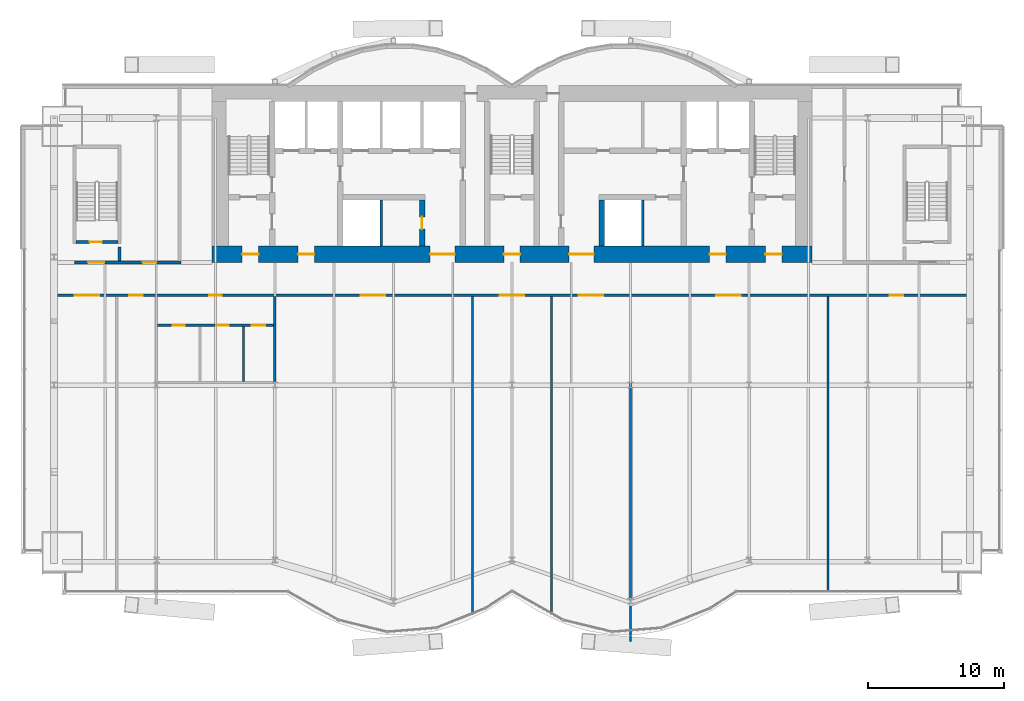
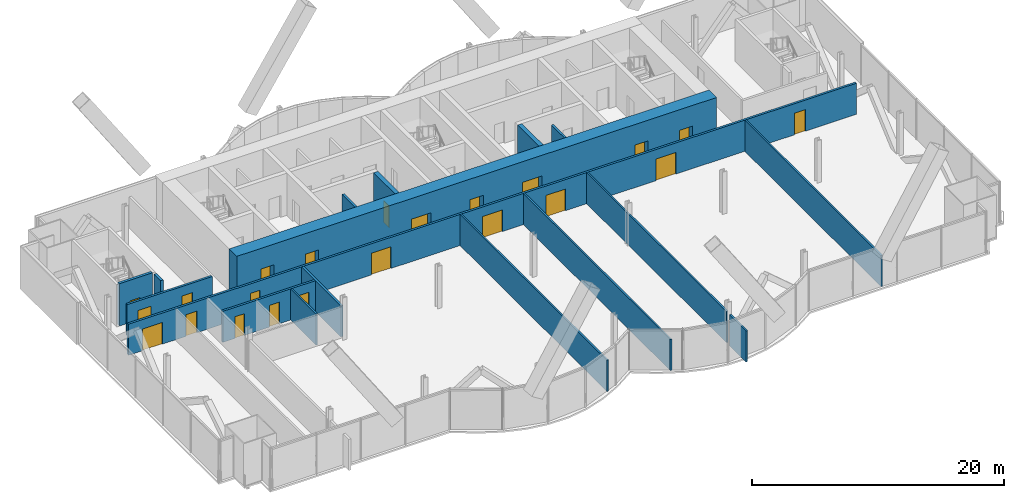
# One storey, part 15 of 21: 22 doors, 17 walls, 22 openings.
"""IFC4 building model written with IfcOpenShell, lengths in metres."""

from ifc_helpers import new_model, si_unit, direction, frame, frame_2d, origin, place, context, subcontext, project, spatial, rectangle, extrude, material, layer, layer_set, type_object, element, fill, save


model = new_model("IFC4")

# Units and contexts
model_context = context("Model", 3, precision=1e-05, world=origin(), true_north=direction((0.0, 1.0)))
body_context = subcontext(model_context, "Body", "Model", "MODEL_VIEW")
ifc_project = project(units=[si_unit("LENGTHUNIT", "METRE"), si_unit("AREAUNIT", "SQUARE_METRE"), si_unit("VOLUMEUNIT", "CUBIC_METRE"), si_unit("PLANEANGLEUNIT", "RADIAN"), si_unit("MASSUNIT", "GRAM", prefix="KILO")], contexts=[model_context])

# Site, building, storey
site_placement = place(None, origin())
site = spatial("IfcSite", under=ifc_project, at=site_placement, CompositionType="ELEMENT")
building_placement = place(site_placement, origin())
building = spatial("IfcBuilding", under=site, at=building_placement, Name="Bicima Exchange Tower", CompositionType="ELEMENT")
storey_placement = place(building_placement, frame((0.0, 0.0, 118.60009765625)))
storey = spatial("IfcBuildingStorey", under=building, at=storey_placement, Name="L25", CompositionType="ELEMENT", Elevation=118.60009765625)

# Walls
ifc_material_1 = material(Name="Gypsum board partition")
ifc_layer_1 = layer(ifc_material_1, 0.199951171875)
ifc_layer_set_1 = layer_set([ifc_layer_1], Name="Gypsum board partition")
wall_type_1 = type_object("IfcWallType", Name="Fire-rated gypsum partition 200 EI120", PredefinedType="PARTITIONING", material=ifc_layer_set_1)
for number, where, z_axis, x_axis, name in (
    (1, (-9.60009765625, -11.800048828125, 0.0), (0.0, 0.0, 1.0), (0.0, 1.0, 0.0), "partition wall 11"),
    (2, (9.60009765625, -11.800048828125, 0.0), (0.0, 0.0, 1.0), (0.0, 1.0, 0.0), "partition wall 20"),
):
    element("IfcWall", number, at=place(storey_placement, frame(where, z_axis=z_axis, x_axis=x_axis)), inside=storey, type_object=wall_type_1, Name=name, PredefinedType="PARTITIONING", context=body_context, shape_type="SweptSolid", body=[
        extrude(rectangle(XDim=3.400146484375, YDim=0.199951171875, at=frame_2d((1.7001953125, 0.0))), origin(), (0.0, 0.0, 1.0), 3.01806640625),
    ])

# Wall, openings, doors
ifc_layer_2 = layer(ifc_material_1, 0.199951171875)
ifc_layer_set_2 = layer_set([ifc_layer_2], Name="Gypsum board partition")
wall_type_2 = type_object("IfcWallType", Name="Fire-rated gypsum partition 200 EI60", PredefinedType="PARTITIONING", material=ifc_layer_set_2)
wall_1_placement = place(storey_placement, frame((-26.0, -17.60009765625, 0.0), z_axis=(0.0, 0.0, 1.0), x_axis=(1.0, 0.0, 0.0)))
wall_1 = element("IfcWall", 3, at=wall_1_placement, inside=storey, type_object=wall_type_2, Name="partition wall 2", PredefinedType="PARTITIONING", context=body_context, shape_type="SweptSolid", body=[
    extrude(rectangle(XDim=8.5, YDim=0.199951171875, at=frame_2d((4.25, 0.0))), origin(), (0.0, 0.0, 1.0), 3.01806640625),
])
opening_1_placement = place(wall_1_placement, frame((1.10009765625, 0.0, 0.0)))
opening_1 = element("IfcOpeningElement", 4, at=opening_1_placement, cuts=wall_1, Name="Opening L25-010", PredefinedType="OPENING", context=body_context, shape_type="SweptSolid", body=[
    extrude(rectangle(XDim=0.89990234375, YDim=2.10009765625, at=frame_2d((0.449951171875, 1.050048828125))), frame((0.0, 0.11181640625, 0.0), z_axis=(0.0, -1.0, 0.0), x_axis=(1.0, 0.0, 0.0)), (0.0, 0.0, 1.0), 0.223876953125),
])
opening_2_placement = place(wall_1_placement, frame((4.300048828125, 0.0, 0.0)))
opening_2 = element("IfcOpeningElement", 5, at=opening_2_placement, cuts=wall_1, Name="Opening L25-011", PredefinedType="OPENING", context=body_context, shape_type="SweptSolid", body=[
    extrude(rectangle(XDim=0.89990234375, YDim=2.10009765625, at=frame_2d((0.449951171875, 1.050048828125))), frame((0.0, 0.11181640625, 0.0), z_axis=(0.0, -1.0, 0.0), x_axis=(1.0, 0.0, 0.0)), (0.0, 0.0, 1.0), 0.223876953125),
])
opening_3_placement = place(wall_1_placement, frame((6.89990234375, 0.0, 0.0)))
opening_3 = element("IfcOpeningElement", 6, at=opening_3_placement, cuts=wall_1, Name="Opening L25-012", PredefinedType="OPENING", context=body_context, shape_type="SweptSolid", body=[
    extrude(rectangle(XDim=1.0, YDim=2.10009765625, at=frame_2d((0.5, 1.050048828125))), frame((0.0, 0.11181640625, 0.0), z_axis=(0.0, -1.0, 0.0), x_axis=(1.0, 0.0, 0.0)), (0.0, 0.0, 1.0), 0.223876953125),
])
ifc_material_2 = material(Name="Steel fire door leaf", Category="steel")
door_type_1 = type_object("IfcDoorType", Name="Door 1000 swing FD30S", OperationType="SINGLE_SWING_LEFT", PredefinedType="DOOR", material=ifc_material_2)
door_1_placement = place(opening_3_placement, frame((1.0, 0.0, 0.0), z_axis=(0.0, 0.0, 1.0), x_axis=(-1.0, 0.0, 0.0)))
door_1 = element("IfcDoor", 7, at=door_1_placement, inside=storey, type_object=door_type_1, Name="Door", OperationType="SINGLE_SWING_RIGHT", OverallHeight=2.10009765625, OverallWidth=1.0, PredefinedType="DOOR", context=body_context, shape_type="SweptSolid", body=[
    extrude(rectangle(XDim=1.0, YDim=2.10009765625, at=frame_2d((0.5, 1.050048828125))), frame((0.0, 0.02490234375, 0.0), z_axis=(0.0, -1.0, 0.0), x_axis=(1.0, 0.0, 0.0)), (0.0, 0.0, 1.0), 0.050048828125),
])
fill(opening_3, door_1)
door_type_2 = type_object("IfcDoorType", Name="Door 900 swing FD30S", OperationType="SINGLE_SWING_LEFT", PredefinedType="DOOR", material=ifc_material_2)
door_2_placement = place(opening_1_placement, frame((0.89990234375, 0.0, 0.0), z_axis=(0.0, 0.0, 1.0), x_axis=(-1.0, 0.0, 0.0)))
door_2 = element("IfcDoor", 8, at=door_2_placement, inside=storey, type_object=door_type_2, Name="Door", OperationType="SINGLE_SWING_LEFT", OverallHeight=2.10009765625, OverallWidth=0.89990234375, PredefinedType="DOOR", context=body_context, shape_type="SweptSolid", body=[
    extrude(rectangle(XDim=0.89990234375, YDim=2.10009765625, at=frame_2d((0.449951171875, 1.050048828125))), frame((0.0, 0.02490234375, 0.0), z_axis=(0.0, -1.0, 0.0), x_axis=(1.0, 0.0, 0.0)), (0.0, 0.0, 1.0), 0.050048828125),
])
fill(opening_1, door_2)
door_3_placement = place(opening_2_placement, frame((0.89990234375, 0.0, 0.0), z_axis=(0.0, 0.0, 1.0), x_axis=(-1.0, 0.0, 0.0)))
door_3 = element("IfcDoor", 9, at=door_3_placement, inside=storey, type_object=door_type_2, Name="Door", OperationType="SINGLE_SWING_RIGHT", OverallHeight=2.10009765625, OverallWidth=0.89990234375, PredefinedType="DOOR", context=body_context, shape_type="SweptSolid", body=[
    extrude(rectangle(XDim=0.89990234375, YDim=2.10009765625, at=frame_2d((0.449951171875, 1.050048828125))), frame((0.0, 0.02490234375, 0.0), z_axis=(0.0, -1.0, 0.0), x_axis=(1.0, 0.0, 0.0)), (0.0, 0.0, 1.0), 0.050048828125),
])
fill(opening_2, door_3)

wall_2_placement = place(storey_placement, frame((-33.3701171875, -15.39990234375, 0.0), z_axis=(0.0, 0.0, 1.0), x_axis=(1.0, 0.0, 0.0)))
wall_2 = element("IfcWall", 10, at=wall_2_placement, inside=storey, type_object=wall_type_2, Name="partition wall 3", PredefinedType="PARTITIONING", context=body_context, shape_type="SweptSolid", body=[
    extrude(rectangle(XDim=66.740234375, YDim=0.199951171875, at=frame_2d((33.3701171875, 0.0))), origin(), (0.0, 0.0, 1.0), 3.01806640625),
])
opening_4_placement = place(wall_2_placement, frame((1.300048828125, 0.0, 0.0)))
opening_4 = element("IfcOpeningElement", 11, at=opening_4_placement, cuts=wall_2, Name="Opening L25-007", PredefinedType="OPENING", context=body_context, shape_type="SweptSolid", body=[
    extrude(rectangle(XDim=1.800048828125, YDim=2.10009765625, at=frame_2d((0.89990234375, 1.050048828125))), frame((0.0, 0.11181640625, 0.0), z_axis=(0.0, -1.0, 0.0), x_axis=(1.0, 0.0, 0.0)), (0.0, 0.0, 1.0), 0.223876953125),
])
opening_5_placement = place(wall_2_placement, frame((5.27001953125, 0.0, 0.0)))
opening_5 = element("IfcOpeningElement", 12, at=opening_5_placement, cuts=wall_2, Name="Opening L25-008", PredefinedType="OPENING", context=body_context, shape_type="SweptSolid", body=[
    extrude(rectangle(XDim=1.0, YDim=2.10009765625, at=frame_2d((0.5, 1.050048828125))), frame((0.0, 0.11181640625, 0.0), z_axis=(0.0, -1.0, 0.0), x_axis=(1.0, 0.0, 0.0)), (0.0, 0.0, 1.0), 0.223876953125),
])
opening_6_placement = place(wall_2_placement, frame((11.169921875, 0.0, 0.0)))
opening_6 = element("IfcOpeningElement", 13, at=opening_6_placement, cuts=wall_2, Name="Opening L25-009", PredefinedType="OPENING", context=body_context, shape_type="SweptSolid", body=[
    extrude(rectangle(XDim=0.89990234375, YDim=2.10009765625, at=frame_2d((0.449951171875, 1.050048828125))), frame((0.0, 0.11181640625, 0.0), z_axis=(0.0, -1.0, 0.0), x_axis=(1.0, 0.0, 0.0)), (0.0, 0.0, 1.0), 0.223876953125),
])
opening_7_placement = place(wall_2_placement, frame((22.27001953125, 0.0, 0.0)))
opening_7 = element("IfcOpeningElement", 14, at=opening_7_placement, cuts=wall_2, Name="Opening L25-013", PredefinedType="OPENING", context=body_context, shape_type="SweptSolid", body=[
    extrude(rectangle(XDim=1.800048828125, YDim=2.10009765625, at=frame_2d((0.89990234375, 1.050048828125))), frame((0.0, 0.11181640625, 0.0), z_axis=(0.0, -1.0, 0.0), x_axis=(1.0, 0.0, 0.0)), (0.0, 0.0, 1.0), 0.223876953125),
])
opening_8_placement = place(wall_2_placement, frame((32.469970703125, 0.0, 0.0)))
opening_8 = element("IfcOpeningElement", 15, at=opening_8_placement, cuts=wall_2, Name="Opening L25-014", PredefinedType="OPENING", context=body_context, shape_type="SweptSolid", body=[
    extrude(rectangle(XDim=1.800048828125, YDim=2.10009765625, at=frame_2d((0.89990234375, 1.050048828125))), frame((0.0, 0.11181640625, 0.0), z_axis=(0.0, -1.0, 0.0), x_axis=(1.0, 0.0, 0.0)), (0.0, 0.0, 1.0), 0.223876953125),
])
opening_9_placement = place(wall_2_placement, frame((38.27001953125, 0.0, 0.0)))
opening_9 = element("IfcOpeningElement", 16, at=opening_9_placement, cuts=wall_2, Name="Opening L25-015", PredefinedType="OPENING", context=body_context, shape_type="SweptSolid", body=[
    extrude(rectangle(XDim=1.800048828125, YDim=2.10009765625, at=frame_2d((0.89990234375, 1.050048828125))), frame((0.0, 0.11181640625, 0.0), z_axis=(0.0, -1.0, 0.0), x_axis=(1.0, 0.0, 0.0)), (0.0, 0.0, 1.0), 0.223876953125),
])
opening_10_placement = place(wall_2_placement, frame((48.3701171875, 0.0, 0.0)))
opening_10 = element("IfcOpeningElement", 17, at=opening_10_placement, cuts=wall_2, Name="Opening L25-016", PredefinedType="OPENING", context=body_context, shape_type="SweptSolid", body=[
    extrude(rectangle(XDim=1.800048828125, YDim=2.10009765625, at=frame_2d((0.89990234375, 1.050048828125))), frame((0.0, 0.11181640625, 0.0), z_axis=(0.0, -1.0, 0.0), x_axis=(1.0, 0.0, 0.0)), (0.0, 0.0, 1.0), 0.223876953125),
])
opening_11_placement = place(wall_2_placement, frame((61.070068359375, 0.0, 0.0)))
opening_11 = element("IfcOpeningElement", 18, at=opening_11_placement, cuts=wall_2, Name="Opening L25-017", PredefinedType="OPENING", context=body_context, shape_type="SweptSolid", body=[
    extrude(rectangle(XDim=1.0, YDim=2.10009765625, at=frame_2d((0.5, 1.050048828125))), frame((0.0, 0.11181640625, 0.0), z_axis=(0.0, -1.0, 0.0), x_axis=(1.0, 0.0, 0.0)), (0.0, 0.0, 1.0), 0.223876953125),
])
door_4_placement = place(opening_5_placement, frame((1.0, 0.0, 0.0), z_axis=(0.0, 0.0, 1.0), x_axis=(-1.0, 0.0, 0.0)))
door_4 = element("IfcDoor", 19, at=door_4_placement, inside=storey, type_object=door_type_1, Name="Door", OperationType="SINGLE_SWING_RIGHT", OverallHeight=2.10009765625, OverallWidth=1.0, PredefinedType="DOOR", context=body_context, shape_type="SweptSolid", body=[
    extrude(rectangle(XDim=1.0, YDim=2.10009765625, at=frame_2d((0.5, 1.050048828125))), frame((0.0, 0.02490234375, 0.0), z_axis=(0.0, -1.0, 0.0), x_axis=(1.0, 0.0, 0.0)), (0.0, 0.0, 1.0), 0.050048828125),
])
fill(opening_5, door_4)
door_5_placement = place(opening_11_placement, frame((1.0, 0.0, 0.0), z_axis=(0.0, 0.0, 1.0), x_axis=(-1.0, 0.0, 0.0)))
door_5 = element("IfcDoor", 20, at=door_5_placement, inside=storey, type_object=door_type_1, Name="Door", OperationType="SINGLE_SWING_RIGHT", OverallHeight=2.10009765625, OverallWidth=1.0, PredefinedType="DOOR", context=body_context, shape_type="SweptSolid", body=[
    extrude(rectangle(XDim=1.0, YDim=2.10009765625, at=frame_2d((0.5, 1.050048828125))), frame((0.0, 0.02490234375, 0.0), z_axis=(0.0, -1.0, 0.0), x_axis=(1.0, 0.0, 0.0)), (0.0, 0.0, 1.0), 0.050048828125),
])
fill(opening_11, door_5)
door_type_3 = type_object("IfcDoorType", Name="Door 1800 double swing FD30S", OperationType="DOUBLE_DOOR_SINGLE_SWING", PredefinedType="DOOR", material=ifc_material_2)
door_6_placement = place(opening_4_placement, origin())
door_6 = element("IfcDoor", 21, at=door_6_placement, inside=storey, type_object=door_type_3, Name="Door", OperationType="SINGLE_SWING_LEFT", OverallHeight=2.10009765625, OverallWidth=1.800048828125, PredefinedType="DOOR", context=body_context, shape_type="SweptSolid", body=[
    extrude(rectangle(XDim=1.800048828125, YDim=2.10009765625, at=frame_2d((0.89990234375, 1.050048828125))), frame((0.0, 0.02490234375, 0.0), z_axis=(0.0, -1.0, 0.0), x_axis=(1.0, 0.0, 0.0)), (0.0, 0.0, 1.0), 0.050048828125),
])
fill(opening_4, door_6)
door_7_placement = place(opening_7_placement, origin())
door_7 = element("IfcDoor", 22, at=door_7_placement, inside=storey, type_object=door_type_3, Name="Door", OperationType="SINGLE_SWING_LEFT", OverallHeight=2.10009765625, OverallWidth=1.800048828125, PredefinedType="DOOR", context=body_context, shape_type="SweptSolid", body=[
    extrude(rectangle(XDim=1.800048828125, YDim=2.10009765625, at=frame_2d((0.89990234375, 1.050048828125))), frame((0.0, 0.02490234375, 0.0), z_axis=(0.0, -1.0, 0.0), x_axis=(1.0, 0.0, 0.0)), (0.0, 0.0, 1.0), 0.050048828125),
])
fill(opening_7, door_7)
door_8_placement = place(opening_8_placement, origin())
door_8 = element("IfcDoor", 23, at=door_8_placement, inside=storey, type_object=door_type_3, Name="Door", OperationType="SINGLE_SWING_LEFT", OverallHeight=2.10009765625, OverallWidth=1.800048828125, PredefinedType="DOOR", context=body_context, shape_type="SweptSolid", body=[
    extrude(rectangle(XDim=1.800048828125, YDim=2.10009765625, at=frame_2d((0.89990234375, 1.050048828125))), frame((0.0, 0.02490234375, 0.0), z_axis=(0.0, -1.0, 0.0), x_axis=(1.0, 0.0, 0.0)), (0.0, 0.0, 1.0), 0.050048828125),
])
fill(opening_8, door_8)
door_9_placement = place(opening_9_placement, origin())
door_9 = element("IfcDoor", 24, at=door_9_placement, inside=storey, type_object=door_type_3, Name="Door", OperationType="SINGLE_SWING_LEFT", OverallHeight=2.10009765625, OverallWidth=1.800048828125, PredefinedType="DOOR", context=body_context, shape_type="SweptSolid", body=[
    extrude(rectangle(XDim=1.800048828125, YDim=2.10009765625, at=frame_2d((0.89990234375, 1.050048828125))), frame((0.0, 0.02490234375, 0.0), z_axis=(0.0, -1.0, 0.0), x_axis=(1.0, 0.0, 0.0)), (0.0, 0.0, 1.0), 0.050048828125),
])
fill(opening_9, door_9)
door_10_placement = place(opening_10_placement, origin())
door_10 = element("IfcDoor", 25, at=door_10_placement, inside=storey, type_object=door_type_3, Name="Door", OperationType="SINGLE_SWING_LEFT", OverallHeight=2.10009765625, OverallWidth=1.800048828125, PredefinedType="DOOR", context=body_context, shape_type="SweptSolid", body=[
    extrude(rectangle(XDim=1.800048828125, YDim=2.10009765625, at=frame_2d((0.89990234375, 1.050048828125))), frame((0.0, 0.02490234375, 0.0), z_axis=(0.0, -1.0, 0.0), x_axis=(1.0, 0.0, 0.0)), (0.0, 0.0, 1.0), 0.050048828125),
])
fill(opening_10, door_10)
door_11_placement = place(opening_6_placement, frame((0.89990234375, 0.0, 0.0), z_axis=(0.0, 0.0, 1.0), x_axis=(-1.0, 0.0, 0.0)))
door_11 = element("IfcDoor", 26, at=door_11_placement, inside=storey, type_object=door_type_2, Name="Door", OperationType="SINGLE_SWING_RIGHT", OverallHeight=2.10009765625, OverallWidth=0.89990234375, PredefinedType="DOOR", context=body_context, shape_type="SweptSolid", body=[
    extrude(rectangle(XDim=0.89990234375, YDim=2.10009765625, at=frame_2d((0.449951171875, 1.050048828125))), frame((0.0, 0.02490234375, 0.0), z_axis=(0.0, -1.0, 0.0), x_axis=(1.0, 0.0, 0.0)), (0.0, 0.0, 1.0), 0.050048828125),
])
fill(opening_6, door_11)

wall_3_placement = place(storey_placement, frame((-32.10009765625, -13.0, 0.0), z_axis=(0.0, 0.0, 1.0), x_axis=(1.0, 0.0, 0.0)))
wall_3 = element("IfcWall", 27, at=wall_3_placement, inside=storey, type_object=wall_type_2, Name="partition wall 4", PredefinedType="PARTITIONING", context=body_context, shape_type="SweptSolid", body=[
    extrude(rectangle(XDim=7.800048828125, YDim=0.199951171875, at=frame_2d((3.89990234375, 0.0))), origin(), (0.0, 0.0, 1.0), 3.01806640625),
])
opening_12_placement = place(wall_3_placement, frame((1.0, 0.0, 0.0)))
opening_12 = element("IfcOpeningElement", 28, at=opening_12_placement, cuts=wall_3, Name="Opening L25-001", PredefinedType="OPENING", context=body_context, shape_type="SweptSolid", body=[
    extrude(rectangle(XDim=1.199951171875, YDim=2.10009765625, at=frame_2d((0.60009765625, 1.050048828125))), frame((0.0, 0.11181640625, 0.0), z_axis=(0.0, -1.0, 0.0), x_axis=(1.0, 0.0, 0.0)), (0.0, 0.0, 1.0), 0.223876953125),
])
opening_13_placement = place(wall_3_placement, frame((5.0, 0.0, 0.0)))
opening_13 = element("IfcOpeningElement", 29, at=opening_13_placement, cuts=wall_3, Name="Opening L25-005", PredefinedType="OPENING", context=body_context, shape_type="SweptSolid", body=[
    extrude(rectangle(XDim=1.0, YDim=2.10009765625, at=frame_2d((0.5, 1.050048828125))), frame((0.0, 0.11181640625, 0.0), z_axis=(0.0, -1.0, 0.0), x_axis=(1.0, 0.0, 0.0)), (0.0, 0.0, 1.0), 0.223876953125),
])
door_12_placement = place(opening_13_placement, origin())
door_12 = element("IfcDoor", 30, at=door_12_placement, inside=storey, type_object=door_type_1, Name="Door", OperationType="SINGLE_SWING_LEFT", OverallHeight=2.10009765625, OverallWidth=1.0, PredefinedType="DOOR", context=body_context, shape_type="SweptSolid", body=[
    extrude(rectangle(XDim=1.0, YDim=2.10009765625, at=frame_2d((0.5, 1.050048828125))), frame((0.0, 0.02490234375, 0.0), z_axis=(0.0, -1.0, 0.0), x_axis=(1.0, 0.0, 0.0)), (0.0, 0.0, 1.0), 0.050048828125),
])
fill(opening_13, door_12)
door_type_4 = type_object("IfcDoorType", Name="Door 1200 swing FD30S", OperationType="SINGLE_SWING_LEFT", PredefinedType="DOOR", material=ifc_material_2)
door_13_placement = place(opening_12_placement, origin())
door_13 = element("IfcDoor", 31, at=door_13_placement, inside=storey, type_object=door_type_4, Name="Door", OperationType="SINGLE_SWING_LEFT", OverallHeight=2.10009765625, OverallWidth=1.199951171875, PredefinedType="DOOR", context=body_context, shape_type="SweptSolid", body=[
    extrude(rectangle(XDim=1.199951171875, YDim=2.10009765625, at=frame_2d((0.60009765625, 1.050048828125))), frame((0.0, 0.02490234375, 0.0), z_axis=(0.0, -1.0, 0.0), x_axis=(1.0, 0.0, 0.0)), (0.0, 0.0, 1.0), 0.050048828125),
])
fill(opening_12, door_13)

# Walls
wall_4_placement = place(storey_placement, frame((-17.39990234375, -21.72509765625, 0.0), z_axis=(0.0, 0.0, 1.0), x_axis=(0.0, 1.0, 0.0)))
element("IfcWall", 32, at=wall_4_placement, inside=storey, type_object=wall_type_2, Name="partition wall 19", PredefinedType="PARTITIONING", context=body_context, shape_type="SweptSolid", body=[
    extrude(rectangle(XDim=6.22509765625, YDim=0.199951171875, at=frame_2d((3.112548828125, 0.0))), origin(), (0.0, 0.0, 1.0), 3.01806640625),
])
ifc_layer_3 = layer(ifc_material_1, 0.14990234375)
ifc_layer_set_3 = layer_set([ifc_layer_3], Name="Gypsum board partition")
wall_type_3 = type_object("IfcWallType", Name="Gypsum partition 150", PredefinedType="PARTITIONING", material=ifc_layer_set_3)
wall_5_placement = place(storey_placement, frame((-19.699951171875, -21.72509765625, 0.0), z_axis=(0.0, 0.0, 1.0), x_axis=(0.0, 1.0, 0.0)))
element("IfcWall", 33, at=wall_5_placement, inside=storey, type_object=wall_type_3, Name="partition wall 18", PredefinedType="PARTITIONING", context=body_context, shape_type="SweptSolid", body=[
    extrude(rectangle(XDim=4.025146484375, YDim=0.14990234375, at=frame_2d((2.0126953125, 0.0))), origin(), (0.0, 0.0, 1.0), 3.01806640625),
])
for number, where, z_axis, x_axis, name in (
    (34, (-2.89990234375, -38.830078125, 0.0), (0.0, 0.0, 1.0), (0.0, 1.0, 0.0), "partition wall 20"),
    (35, (2.89990234375, -38.830078125, 0.0), (0.0, 0.0, 1.0), (0.0, 1.0, 0.0), "partition wall 21"),
):
    element("IfcWall", number, at=place(storey_placement, frame(where, z_axis=z_axis, x_axis=x_axis)), inside=storey, type_object=wall_type_3, Name=name, PredefinedType="PARTITIONING", context=body_context, shape_type="SweptSolid", body=[
        extrude(rectangle(XDim=23.330078125, YDim=0.14990234375, at=frame_2d((11.6650390625, 0.0))), origin(), (0.0, 0.0, 1.0), 3.01806640625),
    ])
wall_6_placement = place(storey_placement, frame((8.699951171875, -40.822509765625, 0.0), z_axis=(0.0, 0.0, 1.0), x_axis=(0.0, 1.0, 0.0)))
element("IfcWall", 36, at=wall_6_placement, inside=storey, type_object=wall_type_3, Name="partition wall 22", PredefinedType="PARTITIONING", context=body_context, shape_type="SweptSolid", body=[
    extrude(rectangle(XDim=2.62353515625, YDim=0.14990234375, at=frame_2d((1.311767578125, 0.0))), origin(), (0.0, 0.0, 1.0), 3.01806640625),
])
wall_7_placement = place(storey_placement, frame((8.699951171875, -37.711181640625, 0.0), z_axis=(0.0, 0.0, 1.0), x_axis=(0.0, 1.0, 0.0)))
element("IfcWall", 37, at=wall_7_placement, inside=storey, type_object=wall_type_3, Name="partition wall 23", PredefinedType="PARTITIONING", context=body_context, shape_type="SweptSolid", body=[
    extrude(rectangle(XDim=22.211181640625, YDim=0.14990234375, at=frame_2d((11.10546875, 0.0))), origin(), (0.0, 0.0, 1.0), 3.01806640625),
])
wall_8_placement = place(storey_placement, frame((23.199951171875, -37.14990234375, 0.0), z_axis=(0.0, 0.0, 1.0), x_axis=(0.0, 1.0, 0.0)))
element("IfcWall", 38, at=wall_8_placement, inside=storey, type_object=wall_type_3, Name="partition wall 24", PredefinedType="PARTITIONING", context=body_context, shape_type="SweptSolid", body=[
    extrude(rectangle(XDim=21.64990234375, YDim=0.14990234375, at=frame_2d((10.824951171875, 0.0))), origin(), (0.0, 0.0, 1.0), 3.01806640625),
])

# Wall, openings, doors
ifc_material_3 = material(Name="Concrete C60/75", Category="concrete")
ifc_layer_4 = layer(ifc_material_3, 1.199951171875)
ifc_layer_set_4 = layer_set([ifc_layer_4], Name="Concrete C60/75")
wall_type_4 = type_object("IfcWallType", Name="RC core wall 1200 C60/75", PredefinedType="SHEAR", material=ifc_layer_set_4)
wall_9_placement = place(storey_placement, frame((-22.0, -12.39990234375, 0.0), z_axis=(0.0, 0.0, 1.0), x_axis=(1.0, 0.0, 0.0)))
wall_9 = element("IfcWall", 39, at=wall_9_placement, inside=storey, type_object=wall_type_4, Name="Core wall south", PredefinedType="SHEAR", context=body_context, shape_type="SweptSolid", body=[
    extrude(rectangle(XDim=44.0, YDim=1.199951171875, at=frame_2d((22.0, 0.0))), origin(), (0.0, 0.0, 1.0), 4.099853515625),
])
opening_14_placement = place(wall_9_placement, frame((2.199951171875, 0.0, 0.0)))
opening_14 = element("IfcOpeningElement", 40, at=opening_14_placement, cuts=wall_9, Name="Opening L25-C18", PredefinedType="OPENING", context=body_context, shape_type="SweptSolid", body=[
    extrude(rectangle(XDim=1.199951171875, YDim=2.10009765625, at=frame_2d((0.60009765625, 1.050048828125))), frame((0.0, 0.61181640625, 0.0), z_axis=(0.0, -1.0, 0.0), x_axis=(1.0, 0.0, 0.0)), (0.0, 0.0, 1.0), 1.223876953125),
])
opening_15_placement = place(wall_9_placement, frame((21.39990234375, 0.0, 0.0)))
opening_15 = element("IfcOpeningElement", 41, at=opening_15_placement, cuts=wall_9, Name="Opening L25-C19", PredefinedType="OPENING", context=body_context, shape_type="SweptSolid", body=[
    extrude(rectangle(XDim=1.199951171875, YDim=2.10009765625, at=frame_2d((0.60009765625, 1.050048828125))), frame((0.0, 0.61181640625, 0.0), z_axis=(0.0, -1.0, 0.0), x_axis=(1.0, 0.0, 0.0)), (0.0, 0.0, 1.0), 1.223876953125),
])
opening_16_placement = place(wall_9_placement, frame((40.60009765625, 0.0, 0.0)))
opening_16 = element("IfcOpeningElement", 42, at=opening_16_placement, cuts=wall_9, Name="Opening L25-C20", PredefinedType="OPENING", context=body_context, shape_type="SweptSolid", body=[
    extrude(rectangle(XDim=1.199951171875, YDim=2.10009765625, at=frame_2d((0.60009765625, 1.050048828125))), frame((0.0, 0.61181640625, 0.0), z_axis=(0.0, -1.0, 0.0), x_axis=(1.0, 0.0, 0.0)), (0.0, 0.0, 1.0), 1.223876953125),
])
opening_17_placement = place(wall_9_placement, frame((16.0, 0.0, 0.0)))
opening_17 = element("IfcOpeningElement", 43, at=opening_17_placement, cuts=wall_9, Name="Opening L25-C21", PredefinedType="OPENING", context=body_context, shape_type="SweptSolid", body=[
    extrude(rectangle(XDim=1.800048828125, YDim=2.10009765625, at=frame_2d((0.89990234375, 1.050048828125))), frame((0.0, 0.61181640625, 0.0), z_axis=(0.0, -1.0, 0.0), x_axis=(1.0, 0.0, 0.0)), (0.0, 0.0, 1.0), 1.223876953125),
])
opening_18_placement = place(wall_9_placement, frame((6.300048828125, 0.0, 0.0)))
opening_18 = element("IfcOpeningElement", 44, at=opening_18_placement, cuts=wall_9, Name="Opening L25-C22", PredefinedType="OPENING", context=body_context, shape_type="SweptSolid", body=[
    extrude(rectangle(XDim=1.199951171875, YDim=2.10009765625, at=frame_2d((0.60009765625, 1.050048828125))), frame((0.0, 0.61181640625, 0.0), z_axis=(0.0, -1.0, 0.0), x_axis=(1.0, 0.0, 0.0)), (0.0, 0.0, 1.0), 1.223876953125),
])
opening_19_placement = place(wall_9_placement, frame((26.199951171875, 0.0, 0.0)))
opening_19 = element("IfcOpeningElement", 45, at=opening_19_placement, cuts=wall_9, Name="Opening L25-C23", PredefinedType="OPENING", context=body_context, shape_type="SweptSolid", body=[
    extrude(rectangle(XDim=1.800048828125, YDim=2.10009765625, at=frame_2d((0.89990234375, 1.050048828125))), frame((0.0, 0.61181640625, 0.0), z_axis=(0.0, -1.0, 0.0), x_axis=(1.0, 0.0, 0.0)), (0.0, 0.0, 1.0), 1.223876953125),
])
opening_20_placement = place(wall_9_placement, frame((36.5, 0.0, 0.0)))
opening_20 = element("IfcOpeningElement", 46, at=opening_20_placement, cuts=wall_9, Name="Opening L25-C24", PredefinedType="OPENING", context=body_context, shape_type="SweptSolid", body=[
    extrude(rectangle(XDim=1.199951171875, YDim=2.10009765625, at=frame_2d((0.60009765625, 1.050048828125))), frame((0.0, 0.61181640625, 0.0), z_axis=(0.0, -1.0, 0.0), x_axis=(1.0, 0.0, 0.0)), (0.0, 0.0, 1.0), 1.223876953125),
])
door_type_5 = type_object("IfcDoorType", Name="Door 1200 swing FD60S", OperationType="SINGLE_SWING_LEFT", PredefinedType="DOOR", material=ifc_material_2)
door_14_placement = place(opening_14_placement, frame((1.199951171875, 0.0, 0.0), z_axis=(0.0, 0.0, 1.0), x_axis=(-1.0, 0.0, 0.0)))
door_14 = element("IfcDoor", 47, at=door_14_placement, inside=storey, type_object=door_type_5, Name="Core door", OperationType="SINGLE_SWING_RIGHT", OverallHeight=2.10009765625, OverallWidth=1.199951171875, PredefinedType="DOOR", context=body_context, shape_type="SweptSolid", body=[
    extrude(rectangle(XDim=1.199951171875, YDim=2.10009765625, at=frame_2d((0.60009765625, 1.050048828125))), frame((0.0, 0.02490234375, 0.0), z_axis=(0.0, -1.0, 0.0), x_axis=(1.0, 0.0, 0.0)), (0.0, 0.0, 1.0), 0.050048828125),
])
fill(opening_14, door_14)
door_15_placement = place(opening_15_placement, frame((1.199951171875, 0.0, 0.0), z_axis=(0.0, 0.0, 1.0), x_axis=(-1.0, 0.0, 0.0)))
door_15 = element("IfcDoor", 48, at=door_15_placement, inside=storey, type_object=door_type_5, Name="Core door", OperationType="SINGLE_SWING_RIGHT", OverallHeight=2.10009765625, OverallWidth=1.199951171875, PredefinedType="DOOR", context=body_context, shape_type="SweptSolid", body=[
    extrude(rectangle(XDim=1.199951171875, YDim=2.10009765625, at=frame_2d((0.60009765625, 1.050048828125))), frame((0.0, 0.02490234375, 0.0), z_axis=(0.0, -1.0, 0.0), x_axis=(1.0, 0.0, 0.0)), (0.0, 0.0, 1.0), 0.050048828125),
])
fill(opening_15, door_15)
door_16_placement = place(opening_16_placement, frame((1.199951171875, 0.0, 0.0), z_axis=(0.0, 0.0, 1.0), x_axis=(-1.0, 0.0, 0.0)))
door_16 = element("IfcDoor", 49, at=door_16_placement, inside=storey, type_object=door_type_5, Name="Core door", OperationType="SINGLE_SWING_RIGHT", OverallHeight=2.10009765625, OverallWidth=1.199951171875, PredefinedType="DOOR", context=body_context, shape_type="SweptSolid", body=[
    extrude(rectangle(XDim=1.199951171875, YDim=2.10009765625, at=frame_2d((0.60009765625, 1.050048828125))), frame((0.0, 0.02490234375, 0.0), z_axis=(0.0, -1.0, 0.0), x_axis=(1.0, 0.0, 0.0)), (0.0, 0.0, 1.0), 0.050048828125),
])
fill(opening_16, door_16)
door_17_placement = place(opening_18_placement, frame((1.199951171875, 0.0, 0.0), z_axis=(0.0, 0.0, 1.0), x_axis=(-1.0, 0.0, 0.0)))
door_17 = element("IfcDoor", 50, at=door_17_placement, inside=storey, type_object=door_type_5, Name="Core door", OperationType="SINGLE_SWING_RIGHT", OverallHeight=2.10009765625, OverallWidth=1.199951171875, PredefinedType="DOOR", context=body_context, shape_type="SweptSolid", body=[
    extrude(rectangle(XDim=1.199951171875, YDim=2.10009765625, at=frame_2d((0.60009765625, 1.050048828125))), frame((0.0, 0.02490234375, 0.0), z_axis=(0.0, -1.0, 0.0), x_axis=(1.0, 0.0, 0.0)), (0.0, 0.0, 1.0), 0.050048828125),
])
fill(opening_18, door_17)
door_18_placement = place(opening_20_placement, frame((1.199951171875, 0.0, 0.0), z_axis=(0.0, 0.0, 1.0), x_axis=(-1.0, 0.0, 0.0)))
door_18 = element("IfcDoor", 51, at=door_18_placement, inside=storey, type_object=door_type_5, Name="Core door", OperationType="SINGLE_SWING_RIGHT", OverallHeight=2.10009765625, OverallWidth=1.199951171875, PredefinedType="DOOR", context=body_context, shape_type="SweptSolid", body=[
    extrude(rectangle(XDim=1.199951171875, YDim=2.10009765625, at=frame_2d((0.60009765625, 1.050048828125))), frame((0.0, 0.02490234375, 0.0), z_axis=(0.0, -1.0, 0.0), x_axis=(1.0, 0.0, 0.0)), (0.0, 0.0, 1.0), 0.050048828125),
])
fill(opening_20, door_18)
door_19_placement = place(opening_17_placement, origin())
door_19 = element("IfcDoor", 52, at=door_19_placement, inside=storey, type_object=door_type_3, Name="Core door", OperationType="SINGLE_SWING_LEFT", OverallHeight=2.10009765625, OverallWidth=1.800048828125, PredefinedType="DOOR", context=body_context, shape_type="SweptSolid", body=[
    extrude(rectangle(XDim=1.800048828125, YDim=2.10009765625, at=frame_2d((0.89990234375, 1.050048828125))), frame((0.0, 0.02490234375, 0.0), z_axis=(0.0, -1.0, 0.0), x_axis=(1.0, 0.0, 0.0)), (0.0, 0.0, 1.0), 0.050048828125),
])
fill(opening_17, door_19)
door_20_placement = place(opening_19_placement, origin())
door_20 = element("IfcDoor", 53, at=door_20_placement, inside=storey, type_object=door_type_3, Name="Core door", OperationType="SINGLE_SWING_LEFT", OverallHeight=2.10009765625, OverallWidth=1.800048828125, PredefinedType="DOOR", context=body_context, shape_type="SweptSolid", body=[
    extrude(rectangle(XDim=1.800048828125, YDim=2.10009765625, at=frame_2d((0.89990234375, 1.050048828125))), frame((0.0, 0.02490234375, 0.0), z_axis=(0.0, -1.0, 0.0), x_axis=(1.0, 0.0, 0.0)), (0.0, 0.0, 1.0), 0.050048828125),
])
fill(opening_19, door_20)

# Wall
ifc_material_4 = material(Name="Concrete C50/60", Category="concrete")
ifc_layer_5 = layer(ifc_material_4, 0.25)
ifc_layer_set_5 = layer_set([ifc_layer_5], Name="Concrete C50/60")
wall_type_5 = type_object("IfcWallType", Name="RC core wall 250 C50/60", PredefinedType="SHEAR", material=ifc_layer_set_5)
wall_10_placement = place(storey_placement, frame((-28.800048828125, -12.89990234375, 0.0), z_axis=(0.0, 0.0, 1.0), x_axis=(0.0, 1.0, 0.0)))
element("IfcWall", 54, at=wall_10_placement, inside=storey, type_object=wall_type_5, Name="stair wall 14", PredefinedType="SHEAR", context=body_context, shape_type="SweptSolid", body=[
    extrude(rectangle(XDim=1.0498046875, YDim=0.25, at=frame_2d((0.52490234375, 0.0))), origin(), (0.0, 0.0, 1.0), 4.099853515625),
])

# Wall, opening, door
ifc_layer_6 = layer(ifc_material_3, 0.39990234375)
ifc_layer_set_6 = layer_set([ifc_layer_6], Name="Concrete C60/75")
wall_type_6 = type_object("IfcWallType", Name="RC core wall 400 C60/75", PredefinedType="SHEAR", material=ifc_layer_set_6)
wall_11_placement = place(storey_placement, frame((-6.60009765625, -11.800048828125, 0.0), z_axis=(0.0, 0.0, 1.0), x_axis=(0.0, 1.0, 0.0)))
wall_11 = element("IfcWall", 55, at=wall_11_placement, inside=storey, type_object=wall_type_6, Name="shear wall 13", PredefinedType="SHEAR", context=body_context, shape_type="SweptSolid", body=[
    extrude(rectangle(XDim=3.400146484375, YDim=0.39990234375, at=frame_2d((1.7001953125, 0.0))), origin(), (0.0, 0.0, 1.0), 4.099853515625),
])
opening_21_placement = place(wall_11_placement, frame((1.25, 0.0, 0.0)))
opening_21 = element("IfcOpeningElement", 56, at=opening_21_placement, cuts=wall_11, Name="Opening L25-C14", PredefinedType="OPENING", context=body_context, shape_type="SweptSolid", body=[
    extrude(rectangle(XDim=0.89990234375, YDim=2.10009765625, at=frame_2d((0.449951171875, 1.050048828125))), frame((0.0, 0.2119140625, 0.0), z_axis=(0.0, -1.0, 0.0), x_axis=(1.0, 0.0, 0.0)), (0.0, 0.0, 1.0), 0.423828125),
])
door_21_placement = place(opening_21_placement, origin())
door_21 = element("IfcDoor", 57, at=door_21_placement, inside=storey, type_object=door_type_2, Name="Core door", OperationType="SINGLE_SWING_RIGHT", OverallHeight=2.10009765625, OverallWidth=0.89990234375, PredefinedType="DOOR", context=body_context, shape_type="SweptSolid", body=[
    extrude(rectangle(XDim=0.89990234375, YDim=2.10009765625, at=frame_2d((0.449951171875, 1.050048828125))), frame((0.0, 0.02490234375, 0.0), z_axis=(0.0, -1.0, 0.0), x_axis=(1.0, 0.0, 0.0)), (0.0, 0.0, 1.0), 0.050048828125),
])
fill(opening_21, door_21)

# Wall
wall_12_placement = place(storey_placement, frame((6.60009765625, -11.800048828125, 0.0), z_axis=(0.0, 0.0, 1.0), x_axis=(0.0, 1.0, 0.0)))
element("IfcWall", 58, at=wall_12_placement, inside=storey, type_object=wall_type_6, Name="shear wall 19", PredefinedType="SHEAR", context=body_context, shape_type="SweptSolid", body=[
    extrude(rectangle(XDim=3.400146484375, YDim=0.39990234375, at=frame_2d((1.7001953125, 0.0))), origin(), (0.0, 0.0, 1.0), 4.099853515625),
])

# Wall, opening, door
ifc_layer_7 = layer(ifc_material_4, 0.25)
ifc_layer_set_7 = layer_set([ifc_layer_7], Name="Concrete C50/60")
wall_type_7 = type_object("IfcWallType", Name="RC stair enclosure wall 250 C50/60", PredefinedType="SHEAR", material=ifc_layer_set_7)
wall_13_placement = place(storey_placement, frame((-31.97509765625, -11.5, 0.0), z_axis=(0.0, 0.0, 1.0), x_axis=(1.0, 0.0, 0.0)))
wall_13 = element("IfcWall", 59, at=wall_13_placement, inside=storey, type_object=wall_type_7, Name="West end exit stair wall S", PredefinedType="SHEAR", context=body_context, shape_type="SweptSolid", body=[
    extrude(rectangle(XDim=3.050048828125, YDim=0.25, at=frame_2d((1.52490234375, 0.0))), origin(), (0.0, 0.0, 1.0), 4.099853515625),
])
opening_22_placement = place(wall_13_placement, frame((0.97509765625, 0.0, 0.0)))
opening_22 = element("IfcOpeningElement", 60, at=opening_22_placement, cuts=wall_13, Name="Opening L25-002", PredefinedType="OPENING", context=body_context, shape_type="SweptSolid", body=[
    extrude(rectangle(XDim=0.89990234375, YDim=2.10009765625, at=frame_2d((0.449951171875, 1.050048828125))), frame((0.0, 0.136962890625, 0.0), z_axis=(0.0, -1.0, 0.0), x_axis=(1.0, 0.0, 0.0)), (0.0, 0.0, 1.0), 0.27392578125),
])
door_type_6 = type_object("IfcDoorType", Name="Door 900 swing FD60S", OperationType="SINGLE_SWING_LEFT", PredefinedType="DOOR", material=ifc_material_2)
door_22_placement = place(opening_22_placement, origin())
door_22 = element("IfcDoor", 61, at=door_22_placement, inside=storey, type_object=door_type_6, Name="Door", OperationType="SINGLE_SWING_LEFT", OverallHeight=2.10009765625, OverallWidth=0.89990234375, PredefinedType="DOOR", context=body_context, shape_type="SweptSolid", body=[
    extrude(rectangle(XDim=0.89990234375, YDim=2.10009765625, at=frame_2d((0.449951171875, 1.050048828125))), frame((0.0, 0.02490234375, 0.0), z_axis=(0.0, -1.0, 0.0), x_axis=(1.0, 0.0, 0.0)), (0.0, 0.0, 1.0), 0.050048828125),
])
fill(opening_22, door_22)

save(model, "model.ifc")
